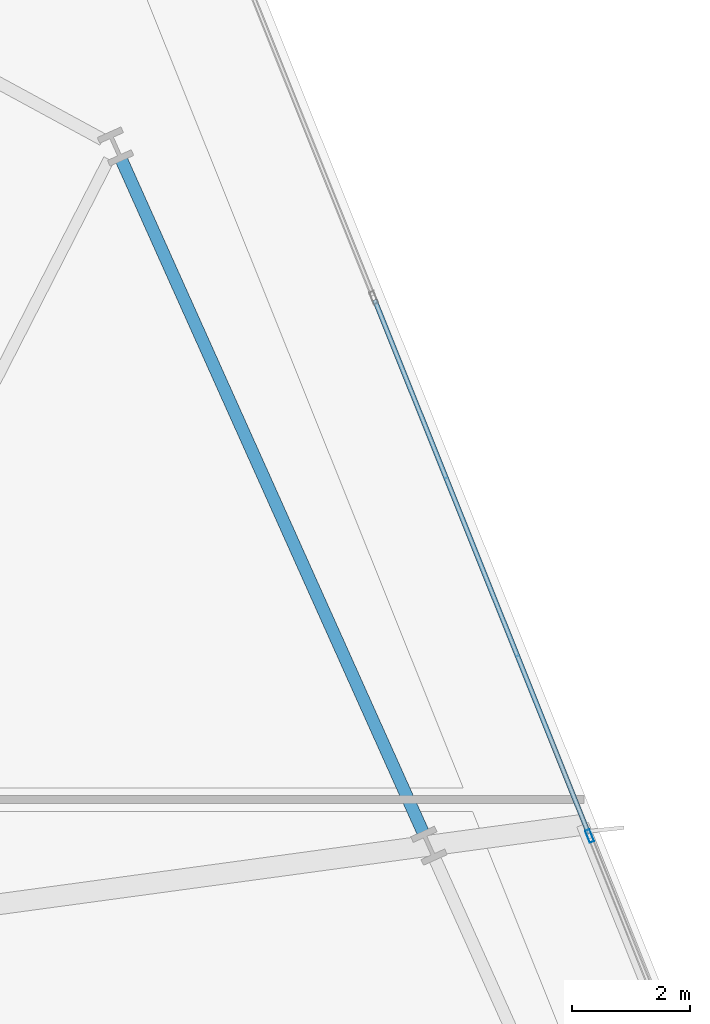
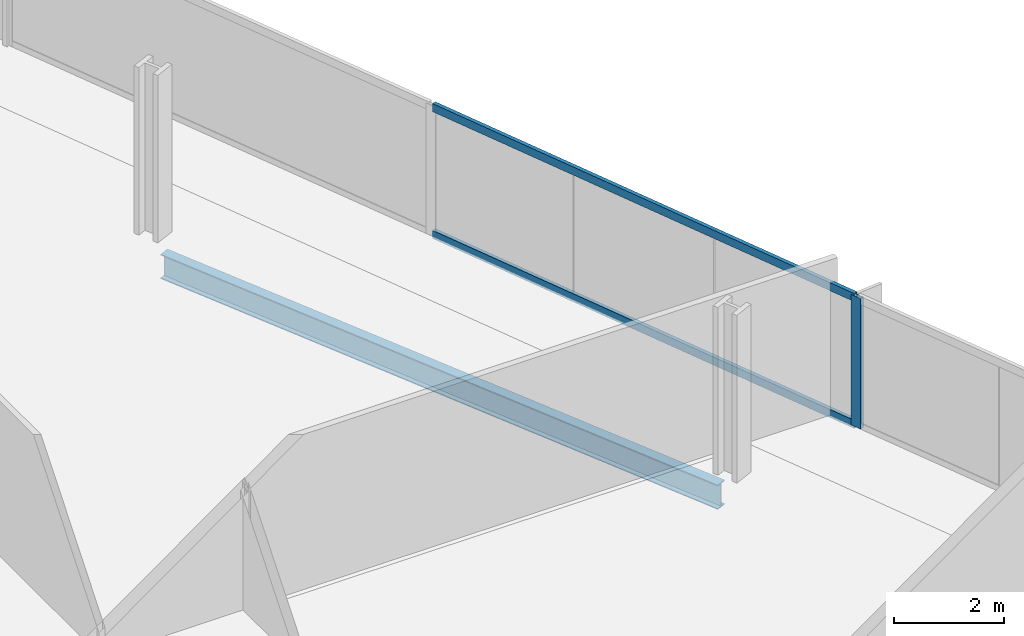
# One storey, part 19 of 33: 3 members, 1 beam, 1 element without a shape of its own.
"""IFC4 building model written with IfcOpenShell, lengths in metres."""

from ifc_helpers import new_model, si_unit, direction, frame, origin, origin_2d, place, context, subcontext, project, spatial, hollow_rectangle, i_section, extrude, material, material_profile, profile_set, type_object, element, aggregate, save


model = new_model("IFC4")

# Units and contexts
model_context = context("Model", 3, precision=1e-05, world=origin(), true_north=direction((0.0, 1.0)))
body_context = subcontext(model_context, "Body", "Model", "MODEL_VIEW")
ifc_project = project(units=[si_unit("LENGTHUNIT", "METRE"), si_unit("AREAUNIT", "SQUARE_METRE"), si_unit("VOLUMEUNIT", "CUBIC_METRE"), si_unit("PLANEANGLEUNIT", "RADIAN"), si_unit("MASSUNIT", "GRAM", prefix="KILO")], contexts=[model_context])

# Site, building, storey
site_placement = place(None, origin())
site = spatial("IfcSite", under=ifc_project, at=site_placement, CompositionType="ELEMENT")
building_placement = place(site_placement, origin())
building = spatial("IfcBuilding", under=site, at=building_placement, Name="Haldenkirk Collegiate Tower", CompositionType="ELEMENT")
storey_placement = place(building_placement, frame((0.0, 0.0, 101.699951171875)))
storey = spatial("IfcBuildingStorey", under=building, at=storey_placement, Name="L24", CompositionType="ELEMENT", Elevation=101.699951171875)

# Beam
ifc_material_1 = material(Name="Steel ASTM A992 Grade 50", Category="steel")
ifc_material_profile_1 = material_profile(ifc_material_1, i_section(OverallWidth=0.2119140625, OverallDepth=0.5439453125, WebThickness=0.01318359375, FlangeThickness=0.021240234375, at=origin_2d()), Name="W21X83")
ifc_profile_set_1 = profile_set([ifc_material_profile_1], Name="Steel ASTM A992 Grade 50")
beam_type = type_object("IfcBeamType", Name="BM-SPANDREL-W21X83", PredefinedType="SPANDREL", material=ifc_profile_set_1)
beam_placement = place(storey_placement, frame((57.15478515625, 35.89111328125, -0.572021484375), z_axis=(-0.409131464477, 0.912475448861, 0.0), x_axis=(-0.912475448861, -0.409131464477, 0.0)))
element("IfcBeam", 1, at=beam_placement, inside=storey, type_object=beam_type, Name="L24 perimeter spandrel beam 07", PredefinedType="SPANDREL", context=body_context, shape_type="SweptSolid", body=[
    extrude(i_section(OverallWidth=0.2119140625, OverallDepth=0.5439453125, WebThickness=0.01318359375, FlangeThickness=0.021240234375, at=origin_2d()), origin(), (0.0, 0.0, 1.0), 12.524169921875),
])

# Curtain wall, members
ifc_material_2 = material(Name="Anodised architectural bronze aluminium", Category="aluminium")
curtain_wall_type = type_object("IfcCurtainWallType", Name="CW-SYS1-CONVEX-LOW", PredefinedType="USERDEFINED", material=ifc_material_2)
curtain_wall_placement = place(storey_placement, origin())
curtain_wall = element("IfcCurtainWall", 2, at=curtain_wall_placement, inside=storey, type_object=curtain_wall_type, Name="L24 Lower tower convex bronze-framed unitised curtain wall", ObjectType="UNITISED CURTAIN WALL", PredefinedType="USERDEFINED")
ifc_material_profile_2 = material_profile(ifc_material_2, hollow_rectangle(XDim=0.080078125, YDim=0.219970703125, WallThickness=0.0048828125, at=origin_2d()), Name="CW-MUL-1A")
ifc_profile_set_2 = profile_set([ifc_material_profile_2], Name="Anodised architectural bronze aluminium")
member_type_1 = type_object("IfcMemberType", Name="CW-MUL-1A", PredefinedType="MULLION", material=ifc_profile_set_2)
member_1_placement = place(storey_placement, frame((59.9833984375, 35.83251953125, 0.0), z_axis=(0.0, 0.0, 1.0), x_axis=(0.928162513726, 0.372175157841, 0.0)))
member_1 = element("IfcMember", 3, at=member_1_placement, type_object=member_type_1, Name="CW-1A mullion 3", PredefinedType="MULLION", context=body_context, shape_type="SweptSolid", body=[
    extrude(hollow_rectangle(XDim=0.080078125, YDim=0.219970703125, WallThickness=0.0048828125, at=origin_2d()), origin(), (0.0, 0.0, 1.0), 2.901123046875),
])
ifc_material_profile_3 = material_profile(ifc_material_2, hollow_rectangle(XDim=0.080078125, YDim=0.179931640625, WallThickness=0.0048828125, at=origin_2d()), Name="CW-TRN-1A")
ifc_profile_set_3 = profile_set([ifc_material_profile_3], Name="Anodised architectural bronze aluminium")
member_type_2 = type_object("IfcMemberType", Name="CW-TRN-1A", PredefinedType="USERDEFINED", material=ifc_profile_set_3)
member_2_placement = place(storey_placement, frame((56.33251953125, 44.937744140625, 0.0400390625), z_axis=(0.37216176169, -0.92816788521, 0.0), x_axis=(0.92816788521, 0.37216176169, 0.0)))
member_2 = element("IfcMember", 4, at=member_2_placement, type_object=member_type_2, Name="CW-1A transom 2.1", ObjectType="TRANSOM", PredefinedType="USERDEFINED", context=body_context, shape_type="SweptSolid", body=[
    extrude(hollow_rectangle(XDim=0.080078125, YDim=0.179931640625, WallThickness=0.0048828125, at=origin_2d()), origin(), (0.0, 0.0, 1.0), 9.77001953125),
])
member_3_placement = place(storey_placement, frame((56.33251953125, 44.937744140625, 2.861083984375), z_axis=(0.37216176169, -0.92816788521, 0.0), x_axis=(0.92816788521, 0.37216176169, 0.0)))
member_3 = element("IfcMember", 5, at=member_3_placement, type_object=member_type_2, Name="CW-1A transom 2.2", ObjectType="TRANSOM", PredefinedType="USERDEFINED", context=body_context, shape_type="SweptSolid", body=[
    extrude(hollow_rectangle(XDim=0.080078125, YDim=0.179931640625, WallThickness=0.0048828125, at=origin_2d()), origin(), (0.0, 0.0, 1.0), 9.77001953125),
])
aggregate(curtain_wall, [member_1, member_2, member_3])

save(model, "model.ifc")
